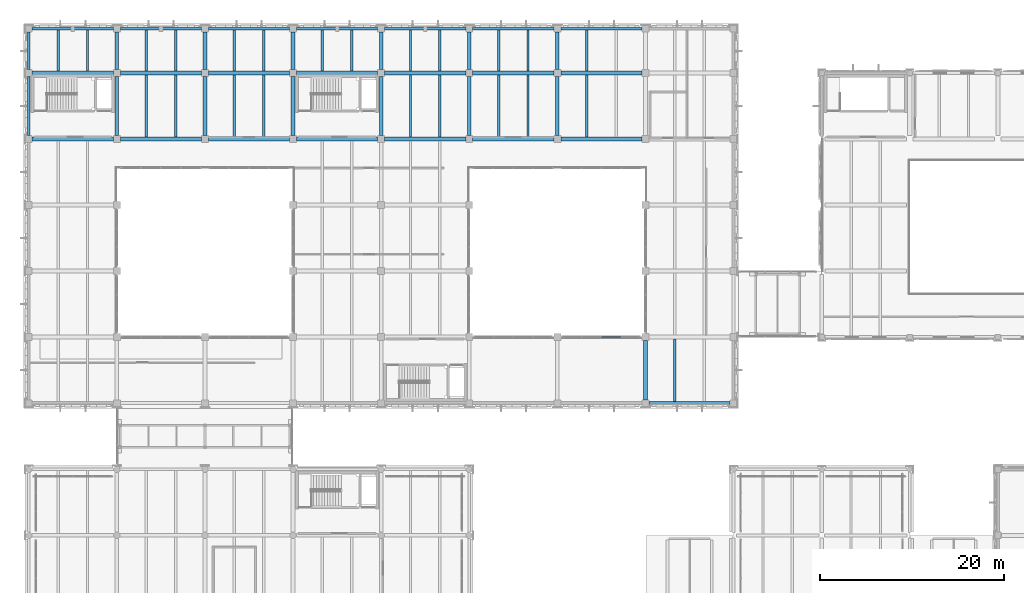
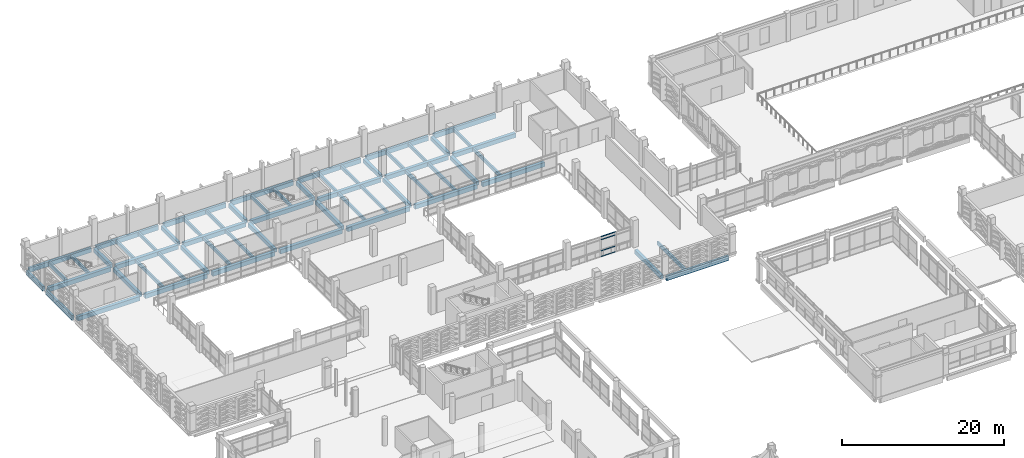
# One storey, part 99 of 180: 60 beams, 4 members, 1 element without a shape of its own.
"""IFC4 building model written with IfcOpenShell, lengths in metres."""

from ifc_helpers import new_model, si_unit, direction, frame, origin, origin_2d, place, context, subcontext, project, spatial, rectangle, hollow_rectangle, extrude, material, layer, layer_set, material_profile, profile_set, type_object, element, aggregate, save


model = new_model("IFC4")

# Units and contexts
model_context = context("Model", 3, precision=1e-05, world=origin(), true_north=direction((0.0, 1.0)))
body_context = subcontext(model_context, "Body", "Model", "MODEL_VIEW")
ifc_project = project(units=[si_unit("LENGTHUNIT", "METRE"), si_unit("AREAUNIT", "SQUARE_METRE"), si_unit("VOLUMEUNIT", "CUBIC_METRE"), si_unit("PLANEANGLEUNIT", "RADIAN"), si_unit("MASSUNIT", "GRAM", prefix="KILO")], contexts=[model_context])

# Site, building, storey
site_placement = place(None, origin())
site = spatial("IfcSite", under=ifc_project, at=site_placement, CompositionType="ELEMENT")
building_placement = place(site_placement, origin())
building = spatial("IfcBuilding", under=site, at=building_placement, Name="Asteropetra Specialist Clinic", CompositionType="ELEMENT")
storey_placement = place(building_placement, frame((0.0, 0.0, 4.419921875)))
storey = spatial("IfcBuildingStorey", under=building, at=storey_placement, Name="L01", CompositionType="ELEMENT", Elevation=4.419921875)

# Beams
ifc_material_1 = material(Name="Concrete C35/45", Category="concrete")
ifc_material_profile_1 = material_profile(ifc_material_1, rectangle(XDim=0.39990234375, YDim=0.60009765625, at=origin_2d()), Name="RCB 400x600")
ifc_profile_set_1 = profile_set([ifc_material_profile_1], Name="Concrete C35/45")
beam_type_1 = type_object("IfcBeamType", Name="BM-RC400x600", PredefinedType="BEAM", material=ifc_profile_set_1)
beam_1_placement = place(storey_placement, frame((67.199951171875, 69.97509765625, -0.579833984375), z_axis=(0.0, 1.0, 0.0), x_axis=(-1.0, 0.0, 0.0)))
element("IfcBeam", 1, at=beam_1_placement, inside=storey, type_object=beam_type_1, Name="Beam BBM08-0677", PredefinedType="BEAM", context=body_context, shape_type="SweptSolid", body=[
    extrude(rectangle(XDim=0.39990234375, YDim=0.60009765625, at=origin_2d()), origin(), (0.0, 0.0, 1.0), 6.449951171875),
])
for number, where, z_axis, x_axis, name in (
    (2, (9.60009765625, 98.77490234375, -0.579833984375), (0.0, 1.0, 0.0), (-1.0, 0.0, 0.0), "Beam BBM08-0719"),
    (3, (19.199951171875, 98.77490234375, -0.579833984375), (0.0, 1.0, 0.0), (-1.0, 0.0, 0.0), "Beam BBM08-0720"),
    (4, (28.800048828125, 98.77490234375, -0.579833984375), (0.0, 1.0, 0.0), (-1.0, 0.0, 0.0), "Beam BBM08-0721"),
    (5, (38.39990234375, 98.77490234375, -0.579833984375), (0.0, 1.0, 0.0), (-1.0, 0.0, 0.0), "Beam BBM08-0722"),
    (6, (48.0, 98.77490234375, -0.579833984375), (0.0, 1.0, 0.0), (-1.0, 0.0, 0.0), "Beam BBM08-0723"),
    (7, (57.60009765625, 98.77490234375, -0.579833984375), (0.0, 1.0, 0.0), (-1.0, 0.0, 0.0), "Beam BBM08-0724"),
):
    element("IfcBeam", number, at=place(storey_placement, frame(where, z_axis=z_axis, x_axis=x_axis)), inside=storey, type_object=beam_type_1, Name=name, PredefinedType="BEAM", context=body_context, shape_type="SweptSolid", body=[
        extrude(rectangle(XDim=0.39990234375, YDim=0.60009765625, at=origin_2d()), origin(), (0.0, 0.0, 1.0), 6.4501953125),
    ])
for number, where, z_axis, x_axis, name in (
    (8, (9.60009765625, 105.97509765625, -0.579833984375), (0.0, 1.0, 0.0), (-1.0, 0.0, 0.0), "Beam BBM08-0740"),
    (9, (19.199951171875, 105.97509765625, -0.579833984375), (0.0, 1.0, 0.0), (-1.0, 0.0, 0.0), "Beam BBM08-0741"),
    (10, (28.800048828125, 105.97509765625, -0.579833984375), (0.0, 1.0, 0.0), (-1.0, 0.0, 0.0), "Beam BBM08-0742"),
    (11, (38.39990234375, 105.97509765625, -0.579833984375), (0.0, 1.0, 0.0), (-1.0, 0.0, 0.0), "Beam BBM08-0743"),
    (12, (48.0, 105.97509765625, -0.579833984375), (0.0, 1.0, 0.0), (-1.0, 0.0, 0.0), "Beam BBM08-0744"),
    (13, (57.60009765625, 105.97509765625, -0.579833984375), (0.0, 1.0, 0.0), (-1.0, 0.0, 0.0), "Beam BBM08-0745"),
):
    element("IfcBeam", number, at=place(storey_placement, frame(where, z_axis=z_axis, x_axis=x_axis)), inside=storey, type_object=beam_type_1, Name=name, PredefinedType="BEAM", context=body_context, shape_type="SweptSolid", body=[
        extrude(rectangle(XDim=0.39990234375, YDim=0.60009765625, at=origin_2d()), origin(), (0.0, 0.0, 1.0), 4.0498046875),
    ])
ifc_material_2 = material(Name="Concrete C35/45", Category="concrete")
ifc_material_profile_2 = material_profile(ifc_material_2, rectangle(XDim=0.449951171875, YDim=0.64990234375, at=origin_2d()), Name="RCB 450x650")
ifc_profile_set_2 = profile_set([ifc_material_profile_2], Name="Concrete C35/45")
beam_type_2 = type_object("IfcBeamType", Name="BM-RC450x650", PredefinedType="BEAM", material=ifc_profile_set_2)
beam_2_placement = place(storey_placement, frame((0.375, 98.39990234375, -0.60498046875), z_axis=(1.0, 0.0, 0.0), x_axis=(0.0, 1.0, 0.0)))
element("IfcBeam", 14, at=beam_2_placement, inside=storey, type_object=beam_type_2, Name="Beam BBM06-0646", PredefinedType="BEAM", context=body_context, shape_type="SweptSolid", body=[
    extrude(rectangle(XDim=0.449951171875, YDim=0.64990234375, at=origin_2d()), origin(), (0.0, 0.0, 1.0), 8.85009765625),
])
beam_3_placement = place(storey_placement, frame((9.97509765625, 98.39990234375, -0.60498046875), z_axis=(1.0, 0.0, 0.0), x_axis=(0.0, 1.0, 0.0)))
element("IfcBeam", 15, at=beam_3_placement, inside=storey, type_object=beam_type_2, Name="Beam BBM06-0647", PredefinedType="BEAM", context=body_context, shape_type="SweptSolid", body=[
    extrude(rectangle(XDim=0.449951171875, YDim=0.64990234375, at=origin_2d()), origin(), (0.0, 0.0, 1.0), 8.849853515625),
])
beam_4_placement = place(storey_placement, frame((19.574951171875, 98.39990234375, -0.60498046875), z_axis=(1.0, 0.0, 0.0), x_axis=(0.0, 1.0, 0.0)))
element("IfcBeam", 16, at=beam_4_placement, inside=storey, type_object=beam_type_2, Name="Beam BBM06-0648", PredefinedType="BEAM", context=body_context, shape_type="SweptSolid", body=[
    extrude(rectangle(XDim=0.449951171875, YDim=0.64990234375, at=origin_2d()), origin(), (0.0, 0.0, 1.0), 8.85009765625),
])
beam_5_placement = place(storey_placement, frame((29.175048828125, 98.39990234375, -0.60498046875), z_axis=(1.0, 0.0, 0.0), x_axis=(0.0, 1.0, 0.0)))
element("IfcBeam", 17, at=beam_5_placement, inside=storey, type_object=beam_type_2, Name="Beam BBM06-0649", PredefinedType="BEAM", context=body_context, shape_type="SweptSolid", body=[
    extrude(rectangle(XDim=0.449951171875, YDim=0.64990234375, at=origin_2d()), origin(), (0.0, 0.0, 1.0), 8.849853515625),
])
for number, where, z_axis, x_axis, name in (
    (18, (38.77490234375, 98.39990234375, -0.60498046875), (1.0, 0.0, 0.0), (0.0, 1.0, 0.0), "Beam BBM06-0650"),
    (19, (48.375, 98.39990234375, -0.60498046875), (1.0, 0.0, 0.0), (0.0, 1.0, 0.0), "Beam BBM06-0651"),
):
    element("IfcBeam", number, at=place(storey_placement, frame(where, z_axis=z_axis, x_axis=x_axis)), inside=storey, type_object=beam_type_2, Name=name, PredefinedType="BEAM", context=body_context, shape_type="SweptSolid", body=[
        extrude(rectangle(XDim=0.449951171875, YDim=0.64990234375, at=origin_2d()), origin(), (0.0, 0.0, 1.0), 8.85009765625),
    ])
beam_6_placement = place(storey_placement, frame((57.97509765625, 98.39990234375, -0.60498046875), z_axis=(1.0, 0.0, 0.0), x_axis=(0.0, 1.0, 0.0)))
element("IfcBeam", 20, at=beam_6_placement, inside=storey, type_object=beam_type_2, Name="Beam BBM06-0652", PredefinedType="BEAM", context=body_context, shape_type="SweptSolid", body=[
    extrude(rectangle(XDim=0.449951171875, YDim=0.64990234375, at=origin_2d()), origin(), (0.0, 0.0, 1.0), 8.849853515625),
])
beam_7_placement = place(storey_placement, frame((0.375, 105.60009765625, -0.60498046875), z_axis=(1.0, 0.0, 0.0), x_axis=(0.0, 1.0, 0.0)))
element("IfcBeam", 21, at=beam_7_placement, inside=storey, type_object=beam_type_2, Name="Beam BBM06-0654", PredefinedType="BEAM", context=body_context, shape_type="SweptSolid", body=[
    extrude(rectangle(XDim=0.449951171875, YDim=0.64990234375, at=origin_2d()), origin(), (0.0, 0.0, 1.0), 8.85009765625),
])
beam_8_placement = place(storey_placement, frame((9.97509765625, 105.60009765625, -0.60498046875), z_axis=(1.0, 0.0, 0.0), x_axis=(0.0, 1.0, 0.0)))
element("IfcBeam", 22, at=beam_8_placement, inside=storey, type_object=beam_type_2, Name="Beam BBM06-0655", PredefinedType="BEAM", context=body_context, shape_type="SweptSolid", body=[
    extrude(rectangle(XDim=0.449951171875, YDim=0.64990234375, at=origin_2d()), origin(), (0.0, 0.0, 1.0), 8.849853515625),
])
beam_9_placement = place(storey_placement, frame((19.574951171875, 105.60009765625, -0.60498046875), z_axis=(1.0, 0.0, 0.0), x_axis=(0.0, 1.0, 0.0)))
element("IfcBeam", 23, at=beam_9_placement, inside=storey, type_object=beam_type_2, Name="Beam BBM06-0656", PredefinedType="BEAM", context=body_context, shape_type="SweptSolid", body=[
    extrude(rectangle(XDim=0.449951171875, YDim=0.64990234375, at=origin_2d()), origin(), (0.0, 0.0, 1.0), 8.85009765625),
])
beam_10_placement = place(storey_placement, frame((29.175048828125, 105.60009765625, -0.60498046875), z_axis=(1.0, 0.0, 0.0), x_axis=(0.0, 1.0, 0.0)))
element("IfcBeam", 24, at=beam_10_placement, inside=storey, type_object=beam_type_2, Name="Beam BBM06-0657", PredefinedType="BEAM", context=body_context, shape_type="SweptSolid", body=[
    extrude(rectangle(XDim=0.449951171875, YDim=0.64990234375, at=origin_2d()), origin(), (0.0, 0.0, 1.0), 8.849853515625),
])
for number, where, z_axis, x_axis, name in (
    (25, (38.77490234375, 105.60009765625, -0.60498046875), (1.0, 0.0, 0.0), (0.0, 1.0, 0.0), "Beam BBM06-0658"),
    (26, (48.375, 105.60009765625, -0.60498046875), (1.0, 0.0, 0.0), (0.0, 1.0, 0.0), "Beam BBM06-0659"),
):
    element("IfcBeam", number, at=place(storey_placement, frame(where, z_axis=z_axis, x_axis=x_axis)), inside=storey, type_object=beam_type_2, Name=name, PredefinedType="BEAM", context=body_context, shape_type="SweptSolid", body=[
        extrude(rectangle(XDim=0.449951171875, YDim=0.64990234375, at=origin_2d()), origin(), (0.0, 0.0, 1.0), 8.85009765625),
    ])
beam_11_placement = place(storey_placement, frame((57.97509765625, 105.60009765625, -0.60498046875), z_axis=(1.0, 0.0, 0.0), x_axis=(0.0, 1.0, 0.0)))
element("IfcBeam", 27, at=beam_11_placement, inside=storey, type_object=beam_type_2, Name="Beam BBM06-0660", PredefinedType="BEAM", context=body_context, shape_type="SweptSolid", body=[
    extrude(rectangle(XDim=0.449951171875, YDim=0.64990234375, at=origin_2d()), origin(), (0.0, 0.0, 1.0), 8.849853515625),
])

# Curtain wall, members
ifc_material_3 = material(Name="Aluminium and low-E glass", Category="aluminium")
ifc_layer = layer(ifc_material_3, 0.179931640625)
ifc_layer_set = layer_set([ifc_layer], Name="Aluminium and low-E glass")
curtain_wall_type = type_object("IfcCurtainWallType", Name="CW-SYS-04", PredefinedType="USERDEFINED", material=ifc_layer_set)
curtain_wall_placement = place(storey_placement, origin())
curtain_wall = element("IfcCurtainWall", 28, at=curtain_wall_placement, inside=storey, type_object=curtain_wall_type, Name="Curtain Wall CW-027", ObjectType="UNITISED CURTAIN WALL", PredefinedType="USERDEFINED")
ifc_material_4 = material(Name="Aluminium 6063-T6", Category="aluminium")
ifc_material_profile_3 = material_profile(ifc_material_4, hollow_rectangle(XDim=0.074951171875, YDim=0.14990234375, WallThickness=0.00390625, InnerFilletRadius=0.00390625, OuterFilletRadius=0.008056640625, at=origin_2d()), Name="TRN 150x75x4.0")
ifc_profile_set_3 = profile_set([ifc_material_profile_3], Name="Aluminium 6063-T6")
member_type = type_object("IfcMemberType", Name="CWT-150x75", PredefinedType="USERDEFINED", material=ifc_profile_set_3)
member_1_placement = place(storey_placement, frame((62.4375, 76.800048828125, 0.03759765625), z_axis=(1.0, 0.0, 0.0), x_axis=(0.0, 1.0, 0.0)))
member_1 = element("IfcMember", 29, at=member_1_placement, type_object=member_type, Name="CW-027 transom 3.1", ObjectType="TRANSOM", PredefinedType="USERDEFINED", context=body_context, shape_type="SweptSolid", body=[
    extrude(hollow_rectangle(XDim=0.074951171875, YDim=0.14990234375, WallThickness=0.00390625, InnerFilletRadius=0.00390625, OuterFilletRadius=0.008056640625, at=origin_2d()), origin(), (0.0, 0.0, 1.0), 2.0576171875),
])
member_2_placement = place(storey_placement, frame((62.4375, 76.800048828125, 0.900146484375), z_axis=(1.0, 0.0, 0.0), x_axis=(0.0, 1.0, 0.0)))
member_2 = element("IfcMember", 30, at=member_2_placement, type_object=member_type, Name="CW-027 transom 3.2", ObjectType="TRANSOM", PredefinedType="USERDEFINED", context=body_context, shape_type="SweptSolid", body=[
    extrude(hollow_rectangle(XDim=0.074951171875, YDim=0.14990234375, WallThickness=0.00390625, InnerFilletRadius=0.00390625, OuterFilletRadius=0.008056640625, at=origin_2d()), origin(), (0.0, 0.0, 1.0), 2.0576171875),
])
member_3_placement = place(storey_placement, frame((62.4375, 76.800048828125, 2.580078125), z_axis=(1.0, 0.0, 0.0), x_axis=(0.0, 1.0, 0.0)))
member_3 = element("IfcMember", 31, at=member_3_placement, type_object=member_type, Name="CW-027 transom 3.3", ObjectType="TRANSOM", PredefinedType="USERDEFINED", context=body_context, shape_type="SweptSolid", body=[
    extrude(hollow_rectangle(XDim=0.074951171875, YDim=0.14990234375, WallThickness=0.00390625, InnerFilletRadius=0.00390625, OuterFilletRadius=0.008056640625, at=origin_2d()), origin(), (0.0, 0.0, 1.0), 2.0576171875),
])
member_4_placement = place(storey_placement, frame((62.4375, 76.800048828125, 3.04248046875), z_axis=(1.0, 0.0, 0.0), x_axis=(0.0, 1.0, 0.0)))
member_4 = element("IfcMember", 32, at=member_4_placement, type_object=member_type, Name="CW-027 transom 3.4", ObjectType="TRANSOM", PredefinedType="USERDEFINED", context=body_context, shape_type="SweptSolid", body=[
    extrude(hollow_rectangle(XDim=0.074951171875, YDim=0.14990234375, WallThickness=0.00390625, InnerFilletRadius=0.00390625, OuterFilletRadius=0.008056640625, at=origin_2d()), origin(), (0.0, 0.0, 1.0), 2.0576171875),
])
aggregate(curtain_wall, [member_1, member_2, member_3, member_4])

# Beams
ifc_material_5 = material(Name="Concrete C35/45", Category="concrete")
ifc_material_profile_4 = material_profile(ifc_material_5, rectangle(XDim=0.260009765625, YDim=0.47998046875, at=origin_2d()), Name="RCJ 260x480")
ifc_profile_set_4 = profile_set([ifc_material_profile_4], Name="Concrete C35/45")
beam_type_3 = type_object("IfcBeamType", Name="JST-RC260x480", PredefinedType="JOIST", material=ifc_profile_set_4)
beam_12_placement = place(storey_placement, frame((70.39990234375, 69.760009765625, -0.52001953125), z_axis=(0.0, 1.0, 0.0), x_axis=(-1.0, 0.0, 0.0)))
element("IfcBeam", 33, at=beam_12_placement, inside=storey, type_object=beam_type_3, Name="Joist JJST02-0683", PredefinedType="JOIST", context=body_context, shape_type="SweptSolid", body=[
    extrude(rectangle(XDim=0.260009765625, YDim=0.47998046875, at=origin_2d()), origin(), (0.0, 0.0, 1.0), 6.81494140625),
])
for number, where, z_axis, x_axis, name in (
    (34, (12.800048828125, 98.625, -0.52001953125), (0.0, 1.0, 0.0), (-1.0, 0.0, 0.0), "Joist JJST02-0727"),
    (35, (16.0, 98.625, -0.52001953125), (0.0, 1.0, 0.0), (-1.0, 0.0, 0.0), "Joist JJST02-0728"),
    (36, (22.39990234375, 98.625, -0.52001953125), (0.0, 1.0, 0.0), (-1.0, 0.0, 0.0), "Joist JJST02-0729"),
    (37, (25.60009765625, 98.625, -0.52001953125), (0.0, 1.0, 0.0), (-1.0, 0.0, 0.0), "Joist JJST02-0730"),
    (38, (41.60009765625, 98.625, -0.52001953125), (0.0, 1.0, 0.0), (-1.0, 0.0, 0.0), "Joist JJST02-0731"),
    (39, (44.800048828125, 98.625, -0.52001953125), (0.0, 1.0, 0.0), (-1.0, 0.0, 0.0), "Joist JJST02-0732"),
    (40, (51.199951171875, 98.625, -0.52001953125), (0.0, 1.0, 0.0), (-1.0, 0.0, 0.0), "Joist JJST02-0733"),
    (41, (54.39990234375, 98.625, -0.52001953125), (0.0, 1.0, 0.0), (-1.0, 0.0, 0.0), "Joist JJST02-0734"),
    (42, (60.800048828125, 98.625, -0.52001953125), (0.0, 1.0, 0.0), (-1.0, 0.0, 0.0), "Joist JJST02-0735"),
):
    element("IfcBeam", number, at=place(storey_placement, frame(where, z_axis=z_axis, x_axis=x_axis)), inside=storey, type_object=beam_type_3, Name=name, PredefinedType="JOIST", context=body_context, shape_type="SweptSolid", body=[
        extrude(rectangle(XDim=0.260009765625, YDim=0.47998046875, at=origin_2d()), origin(), (0.0, 0.0, 1.0), 6.75),
    ])
for number, where, z_axis, x_axis, name in (
    (43, (3.199951171875, 105.824951171875, -0.52001953125), (0.0, 1.0, 0.0), (-1.0, 0.0, 0.0), "Joist JJST02-0748"),
    (44, (6.39990234375, 105.824951171875, -0.52001953125), (0.0, 1.0, 0.0), (-1.0, 0.0, 0.0), "Joist JJST02-0749"),
    (45, (12.800048828125, 105.824951171875, -0.52001953125), (0.0, 1.0, 0.0), (-1.0, 0.0, 0.0), "Joist JJST02-0750"),
    (46, (16.0, 105.824951171875, -0.52001953125), (0.0, 1.0, 0.0), (-1.0, 0.0, 0.0), "Joist JJST02-0751"),
    (47, (22.39990234375, 105.824951171875, -0.52001953125), (0.0, 1.0, 0.0), (-1.0, 0.0, 0.0), "Joist JJST02-0752"),
    (48, (25.60009765625, 105.824951171875, -0.52001953125), (0.0, 1.0, 0.0), (-1.0, 0.0, 0.0), "Joist JJST02-0753"),
    (49, (32.0, 105.824951171875, -0.52001953125), (0.0, 1.0, 0.0), (-1.0, 0.0, 0.0), "Joist JJST02-0754"),
    (50, (35.199951171875, 105.824951171875, -0.52001953125), (0.0, 1.0, 0.0), (-1.0, 0.0, 0.0), "Joist JJST02-0755"),
    (51, (41.60009765625, 105.824951171875, -0.52001953125), (0.0, 1.0, 0.0), (-1.0, 0.0, 0.0), "Joist JJST02-0756"),
    (52, (44.800048828125, 105.824951171875, -0.52001953125), (0.0, 1.0, 0.0), (-1.0, 0.0, 0.0), "Joist JJST02-0757"),
    (53, (51.199951171875, 105.824951171875, -0.52001953125), (0.0, 1.0, 0.0), (-1.0, 0.0, 0.0), "Joist JJST02-0758"),
    (54, (54.39990234375, 105.824951171875, -0.52001953125), (0.0, 1.0, 0.0), (-1.0, 0.0, 0.0), "Joist JJST02-0759"),
    (55, (60.800048828125, 105.824951171875, -0.52001953125), (0.0, 1.0, 0.0), (-1.0, 0.0, 0.0), "Joist JJST02-0760"),
):
    element("IfcBeam", number, at=place(storey_placement, frame(where, z_axis=z_axis, x_axis=x_axis)), inside=storey, type_object=beam_type_3, Name=name, PredefinedType="JOIST", context=body_context, shape_type="SweptSolid", body=[
        extrude(rectangle(XDim=0.260009765625, YDim=0.47998046875, at=origin_2d()), origin(), (0.0, 0.0, 1.0), 4.4150390625),
    ])
ifc_material_6 = material(Name="Concrete C35/45", Category="concrete")
ifc_material_profile_5 = material_profile(ifc_material_6, rectangle(XDim=0.320068359375, YDim=0.699951171875, at=origin_2d()), Name="RCS 320x700")
ifc_profile_set_5 = profile_set([ifc_material_profile_5], Name="Concrete C35/45")
beam_type_4 = type_object("IfcBeamType", Name="SPN-RC320x700", PredefinedType="SPANDREL", material=ifc_profile_set_5)
for number, where, z_axis, x_axis, name in (
    (56, (67.574951171875, 69.60009765625, -0.6298828125), (1.0, 0.0, 0.0), (0.0, 1.0, 0.0), "Beam BSPN02-0633"),
    (57, (0.375, 110.39990234375, -0.6298828125), (1.0, 0.0, 0.0), (0.0, 1.0, 0.0), "Beam BSPN02-0662"),
):
    element("IfcBeam", number, at=place(storey_placement, frame(where, z_axis=z_axis, x_axis=x_axis)), inside=storey, type_object=beam_type_4, Name=name, PredefinedType="SPANDREL", context=body_context, shape_type="SweptSolid", body=[
        extrude(rectangle(XDim=0.320068359375, YDim=0.699951171875, at=origin_2d()), origin(), (0.0, 0.0, 1.0), 8.85009765625),
    ])
beam_13_placement = place(storey_placement, frame((9.97509765625, 110.39990234375, -0.6298828125), z_axis=(1.0, 0.0, 0.0), x_axis=(0.0, 1.0, 0.0)))
element("IfcBeam", 58, at=beam_13_placement, inside=storey, type_object=beam_type_4, Name="Beam BSPN02-0663", PredefinedType="SPANDREL", context=body_context, shape_type="SweptSolid", body=[
    extrude(rectangle(XDim=0.320068359375, YDim=0.699951171875, at=origin_2d()), origin(), (0.0, 0.0, 1.0), 8.849853515625),
])
beam_14_placement = place(storey_placement, frame((19.574951171875, 110.39990234375, -0.6298828125), z_axis=(1.0, 0.0, 0.0), x_axis=(0.0, 1.0, 0.0)))
element("IfcBeam", 59, at=beam_14_placement, inside=storey, type_object=beam_type_4, Name="Beam BSPN02-0664", PredefinedType="SPANDREL", context=body_context, shape_type="SweptSolid", body=[
    extrude(rectangle(XDim=0.320068359375, YDim=0.699951171875, at=origin_2d()), origin(), (0.0, 0.0, 1.0), 8.85009765625),
])
beam_15_placement = place(storey_placement, frame((29.175048828125, 110.39990234375, -0.6298828125), z_axis=(1.0, 0.0, 0.0), x_axis=(0.0, 1.0, 0.0)))
element("IfcBeam", 60, at=beam_15_placement, inside=storey, type_object=beam_type_4, Name="Beam BSPN02-0665", PredefinedType="SPANDREL", context=body_context, shape_type="SweptSolid", body=[
    extrude(rectangle(XDim=0.320068359375, YDim=0.699951171875, at=origin_2d()), origin(), (0.0, 0.0, 1.0), 8.849853515625),
])
for number, where, z_axis, x_axis, name in (
    (61, (38.77490234375, 110.39990234375, -0.6298828125), (1.0, 0.0, 0.0), (0.0, 1.0, 0.0), "Beam BSPN02-0666"),
    (62, (48.375, 110.39990234375, -0.6298828125), (1.0, 0.0, 0.0), (0.0, 1.0, 0.0), "Beam BSPN02-0667"),
):
    element("IfcBeam", number, at=place(storey_placement, frame(where, z_axis=z_axis, x_axis=x_axis)), inside=storey, type_object=beam_type_4, Name=name, PredefinedType="SPANDREL", context=body_context, shape_type="SweptSolid", body=[
        extrude(rectangle(XDim=0.320068359375, YDim=0.699951171875, at=origin_2d()), origin(), (0.0, 0.0, 1.0), 8.85009765625),
    ])
beam_16_placement = place(storey_placement, frame((57.97509765625, 110.39990234375, -0.6298828125), z_axis=(1.0, 0.0, 0.0), x_axis=(0.0, 1.0, 0.0)))
element("IfcBeam", 63, at=beam_16_placement, inside=storey, type_object=beam_type_4, Name="Beam BSPN02-0668", PredefinedType="SPANDREL", context=body_context, shape_type="SweptSolid", body=[
    extrude(rectangle(XDim=0.320068359375, YDim=0.699951171875, at=origin_2d()), origin(), (0.0, 0.0, 1.0), 8.849853515625),
])
beam_17_placement = place(storey_placement, frame((0.0, 98.77490234375, -0.6298828125), z_axis=(0.0, 1.0, 0.0), x_axis=(-1.0, 0.0, 0.0)))
element("IfcBeam", 64, at=beam_17_placement, inside=storey, type_object=beam_type_4, Name="Beam BSPN02-0718", PredefinedType="SPANDREL", context=body_context, shape_type="SweptSolid", body=[
    extrude(rectangle(XDim=0.320068359375, YDim=0.699951171875, at=origin_2d()), origin(), (0.0, 0.0, 1.0), 6.4501953125),
])
beam_18_placement = place(storey_placement, frame((0.0, 105.97509765625, -0.6298828125), z_axis=(0.0, 1.0, 0.0), x_axis=(-1.0, 0.0, 0.0)))
element("IfcBeam", 65, at=beam_18_placement, inside=storey, type_object=beam_type_4, Name="Beam BSPN02-0739", PredefinedType="SPANDREL", context=body_context, shape_type="SweptSolid", body=[
    extrude(rectangle(XDim=0.320068359375, YDim=0.699951171875, at=origin_2d()), origin(), (0.0, 0.0, 1.0), 4.0498046875),
])

save(model, "model.ifc")
